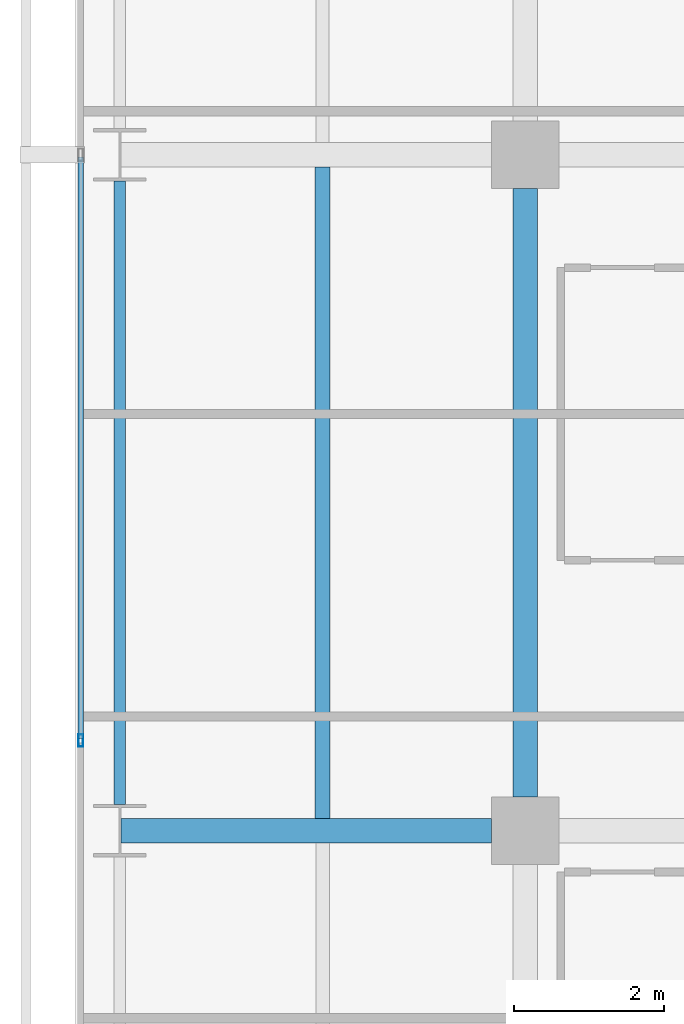
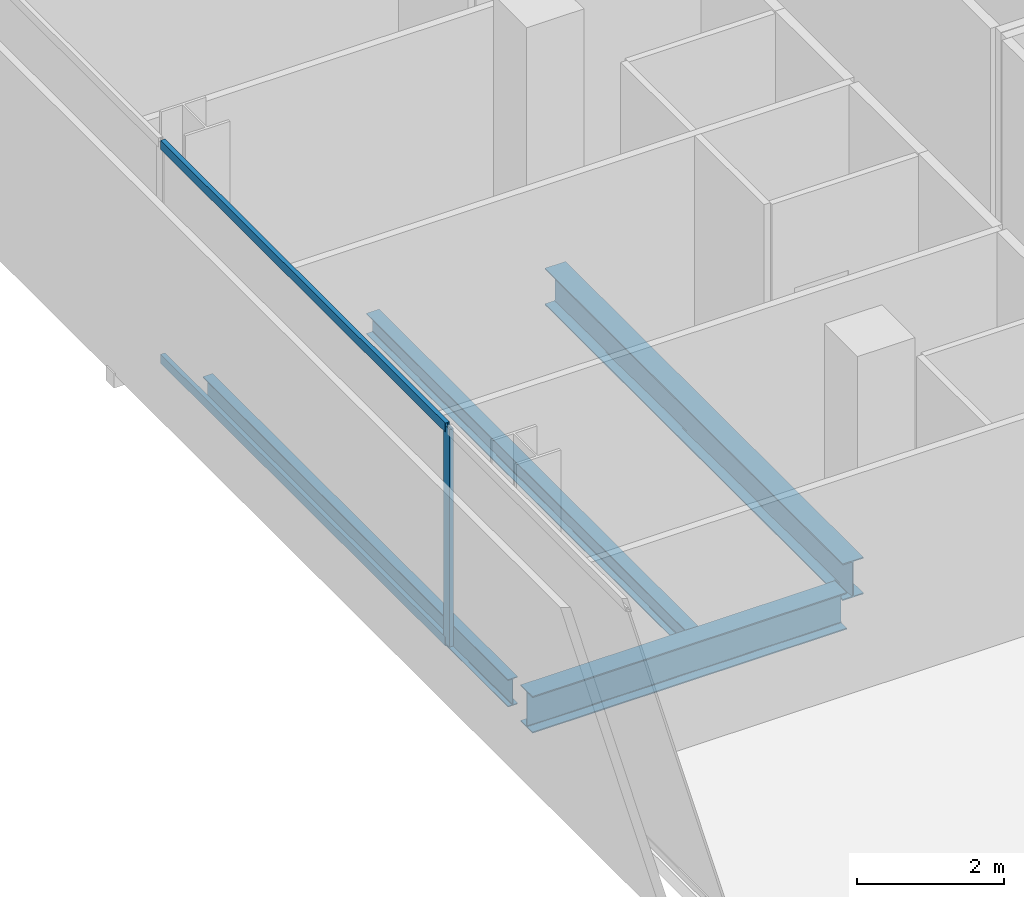
# One storey, part 10 of 40: 4 beams, 3 members, 1 element without a shape of its own.
"""IFC4 building model written with IfcOpenShell, lengths in metres."""

from ifc_helpers import new_model, si_unit, direction, frame, origin, origin_2d, place, context, subcontext, project, spatial, hollow_rectangle, i_section, extrude, material, layer, layer_set, material_profile, profile_set, type_object, element, aggregate, save


model = new_model("IFC4")

# Units and contexts
model_context = context("Model", 3, precision=1e-05, world=origin(), true_north=direction((0.0, 1.0)))
body_context = subcontext(model_context, "Body", "Model", "MODEL_VIEW")
ifc_project = project(units=[si_unit("LENGTHUNIT", "METRE"), si_unit("AREAUNIT", "SQUARE_METRE"), si_unit("VOLUMEUNIT", "CUBIC_METRE"), si_unit("PLANEANGLEUNIT", "RADIAN"), si_unit("MASSUNIT", "GRAM", prefix="KILO")], contexts=[model_context])

# Site, building, storey
site_placement = place(None, origin())
site = spatial("IfcSite", under=ifc_project, at=site_placement, CompositionType="ELEMENT")
building_placement = place(site_placement, origin())
building = spatial("IfcBuilding", under=site, at=building_placement, Name="Maruvema Waterfront Hotel and Observation Tower", CompositionType="ELEMENT")
storey_placement = place(building_placement, frame((0.0, 0.0, 80.85009765625)))
storey = spatial("IfcBuildingStorey", under=building, at=storey_placement, Name="L19", CompositionType="ELEMENT", Elevation=80.85009765625)

# Curtain wall, members
ifc_material_1 = material(Name="Anodised bronze aluminium and solar-control low-E IGU", Category="aluminium")
ifc_layer = layer(ifc_material_1, 0.159912109375, Name="Zone 1 Bronze Inner Thermal Curtain Wall System CW-02")
ifc_layer_set = layer_set([ifc_layer], Name="Anodised bronze aluminium and solar-control low-E IGU")
curtain_wall_type = type_object("IfcCurtainWallType", Name="Zone 1 Bronze Inner Thermal Curtain Wall System CW-02", PredefinedType="USERDEFINED", material=ifc_layer_set)
curtain_wall_placement = place(storey_placement, origin())
curtain_wall = element("IfcCurtainWall", 1, at=curtain_wall_placement, inside=storey, type_object=curtain_wall_type, Name="L19 Curtain Wall CW-L19-W", ObjectType="UNITISED CURTAIN WALL", PredefinedType="USERDEFINED")
ifc_material_2 = material(Name="Anodised architectural bronze aluminium", Category="aluminium")
ifc_material_profile_1 = material_profile(ifc_material_2, hollow_rectangle(XDim=0.070068359375, YDim=0.14990234375, WallThickness=0.00390625, at=origin_2d()), Name="ALU-T70x150")
ifc_profile_set_1 = profile_set([ifc_material_profile_1], Name="Anodised architectural bronze aluminium")
member_type_1 = type_object("IfcMemberType", Name="Curtain Wall Horizontal Transom ALU-T70x150", PredefinedType="USERDEFINED", material=ifc_profile_set_1)
member_1_placement = place(storey_placement, frame((10.8798828125, 26.969970703125, 0.02978515625), z_axis=(0.0, -1.0, 0.0), x_axis=(1.0, 0.0, 0.0)))
member_1 = element("IfcMember", 2, at=member_1_placement, type_object=member_type_1, Name="CW-02 transom 4.1", ObjectType="TRANSOM", PredefinedType="USERDEFINED", context=body_context, shape_type="SweptSolid", body=[
    extrude(hollow_rectangle(XDim=0.070068359375, YDim=0.14990234375, WallThickness=0.00390625, at=origin_2d()), origin(), (0.0, 0.0, 1.0), 7.739990234375),
])
member_2_placement = place(storey_placement, frame((10.8798828125, 26.969970703125, 3.579833984375), z_axis=(0.0, -1.0, 0.0), x_axis=(1.0, 0.0, 0.0)))
member_2 = element("IfcMember", 3, at=member_2_placement, type_object=member_type_1, Name="CW-02 transom 4.2", ObjectType="TRANSOM", PredefinedType="USERDEFINED", context=body_context, shape_type="SweptSolid", body=[
    extrude(hollow_rectangle(XDim=0.070068359375, YDim=0.14990234375, WallThickness=0.00390625, at=origin_2d()), origin(), (0.0, 0.0, 1.0), 7.739990234375),
])
ifc_material_3 = material(Name="Anodised architectural bronze aluminium", Category="aluminium")
ifc_material_profile_2 = material_profile(ifc_material_3, hollow_rectangle(XDim=0.06494140625, YDim=0.1650390625, WallThickness=0.00390625, at=origin_2d()), Name="ALU-M65x165")
ifc_profile_set_2 = profile_set([ifc_material_profile_2], Name="Anodised architectural bronze aluminium")
member_type_2 = type_object("IfcMemberType", Name="Curtain Wall Primary Mullion ALU-M65x165", PredefinedType="MULLION", material=ifc_profile_set_2)
member_3_placement = place(storey_placement, frame((10.8798828125, 19.199951171875, 0.0), z_axis=(0.0, 0.0, 1.0), x_axis=(1.0, 0.0, 0.0)))
member_3 = element("IfcMember", 4, at=member_3_placement, type_object=member_type_2, Name="CW-02 mullion 5", PredefinedType="MULLION", context=body_context, shape_type="SweptSolid", body=[
    extrude(hollow_rectangle(XDim=0.06494140625, YDim=0.1650390625, WallThickness=0.00390625, at=origin_2d()), origin(), (0.0, 0.0, 1.0), 3.60986328125),
])
aggregate(curtain_wall, [member_3, member_1, member_2])

# Beams
ifc_material_4 = material(Name="Steel ASTM A572 Grade 50", Category="steel")
ifc_material_profile_3 = material_profile(ifc_material_4, i_section(OverallWidth=0.153076171875, OverallDepth=0.455078125, WebThickness=0.008056640625, FlangeThickness=0.01318359375, FilletRadius=0.014892578125, at=origin_2d()), Name="W460x60.0")
ifc_profile_set_3 = profile_set([ifc_material_profile_3], Name="Steel ASTM A572 Grade 50")
beam_type_1 = type_object("IfcBeamType", Name="Perimeter Spandrel Beam W460x60.0", PredefinedType="SPANDREL", material=ifc_profile_set_3)
beam_1_placement = place(storey_placement, frame((11.39990234375, 18.35009765625, -0.467529296875), z_axis=(0.0, 1.0, 0.0), x_axis=(-1.0, 0.0, 0.0)))
element("IfcBeam", 5, at=beam_1_placement, inside=storey, type_object=beam_type_1, Name="L19 Floor Girder NS-02", PredefinedType="SPANDREL", context=body_context, shape_type="SweptSolid", body=[
    extrude(i_section(OverallWidth=0.153076171875, OverallDepth=0.455078125, WebThickness=0.008056640625, FlangeThickness=0.01318359375, FilletRadius=0.014892578125, at=origin_2d()), origin(), (0.0, 0.0, 1.0), 8.2998046875),
])
ifc_material_5 = material(Name="Steel ASTM A572 Grade 50", Category="steel")
ifc_material_profile_4 = material_profile(ifc_material_5, i_section(OverallWidth=0.323974609375, OverallDepth=0.611083984375, WebThickness=0.0126953125, FlangeThickness=0.01904296875, FilletRadius=0.01806640625, at=origin_2d()), Name="W610x155.0")
ifc_profile_set_4 = profile_set([ifc_material_profile_4], Name="Steel ASTM A572 Grade 50")
beam_type_2 = type_object("IfcBeamType", Name="Primary Floor Girder W610x155.0", PredefinedType="BEAM", material=ifc_profile_set_4)
beam_2_placement = place(storey_placement, frame((11.4140625, 18.0, -0.545654296875), z_axis=(1.0, 0.0, 0.0), x_axis=(0.0, 1.0, 0.0)))
element("IfcBeam", 6, at=beam_2_placement, inside=storey, type_object=beam_type_2, Name="L19 Floor Girder EW-13", PredefinedType="BEAM", context=body_context, shape_type="SweptSolid", body=[
    extrude(i_section(OverallWidth=0.323974609375, OverallDepth=0.611083984375, WebThickness=0.0126953125, FlangeThickness=0.01904296875, FilletRadius=0.01806640625, at=origin_2d()), origin(), (0.0, 0.0, 1.0), 4.93603515625),
])
beam_3_placement = place(storey_placement, frame((16.800048828125, 18.449951171875, -0.545654296875), z_axis=(0.0, 1.0, 0.0), x_axis=(-1.0, 0.0, 0.0)))
element("IfcBeam", 7, at=beam_3_placement, inside=storey, type_object=beam_type_2, Name="L19 Floor Girder NS-07", PredefinedType="BEAM", context=body_context, shape_type="SweptSolid", body=[
    extrude(i_section(OverallWidth=0.323974609375, OverallDepth=0.611083984375, WebThickness=0.0126953125, FlangeThickness=0.01904296875, FilletRadius=0.01806640625, at=origin_2d()), origin(), (0.0, 0.0, 1.0), 8.10009765625),
])
ifc_material_6 = material(Name="Steel ASTM A572 Grade 50", Category="steel")
ifc_material_profile_5 = material_profile(ifc_material_6, i_section(OverallWidth=0.202880859375, OverallDepth=0.346923828125, WebThickness=0.0078125, FlangeThickness=0.013427734375, FilletRadius=0.014892578125, at=origin_2d()), Name="W360x64.0")
ifc_profile_set_5 = profile_set([ifc_material_profile_5], Name="Steel ASTM A572 Grade 50")
beam_type_3 = type_object("IfcBeamType", Name="Secondary Floor Joist W360x64.0", PredefinedType="JOIST", material=ifc_profile_set_5)
beam_4_placement = place(storey_placement, frame((14.10009765625, 18.162109375, -0.41357421875), z_axis=(0.0, 1.0, 0.0), x_axis=(-1.0, 0.0, 0.0)))
element("IfcBeam", 8, at=beam_4_placement, inside=storey, type_object=beam_type_3, Name="L19 Secondary Floor Joist JS-02", PredefinedType="JOIST", context=body_context, shape_type="SweptSolid", body=[
    extrude(i_section(OverallWidth=0.202880859375, OverallDepth=0.346923828125, WebThickness=0.0078125, FlangeThickness=0.013427734375, FilletRadius=0.014892578125, at=origin_2d()), origin(), (0.0, 0.0, 1.0), 8.67578125),
])

save(model, "model.ifc")
